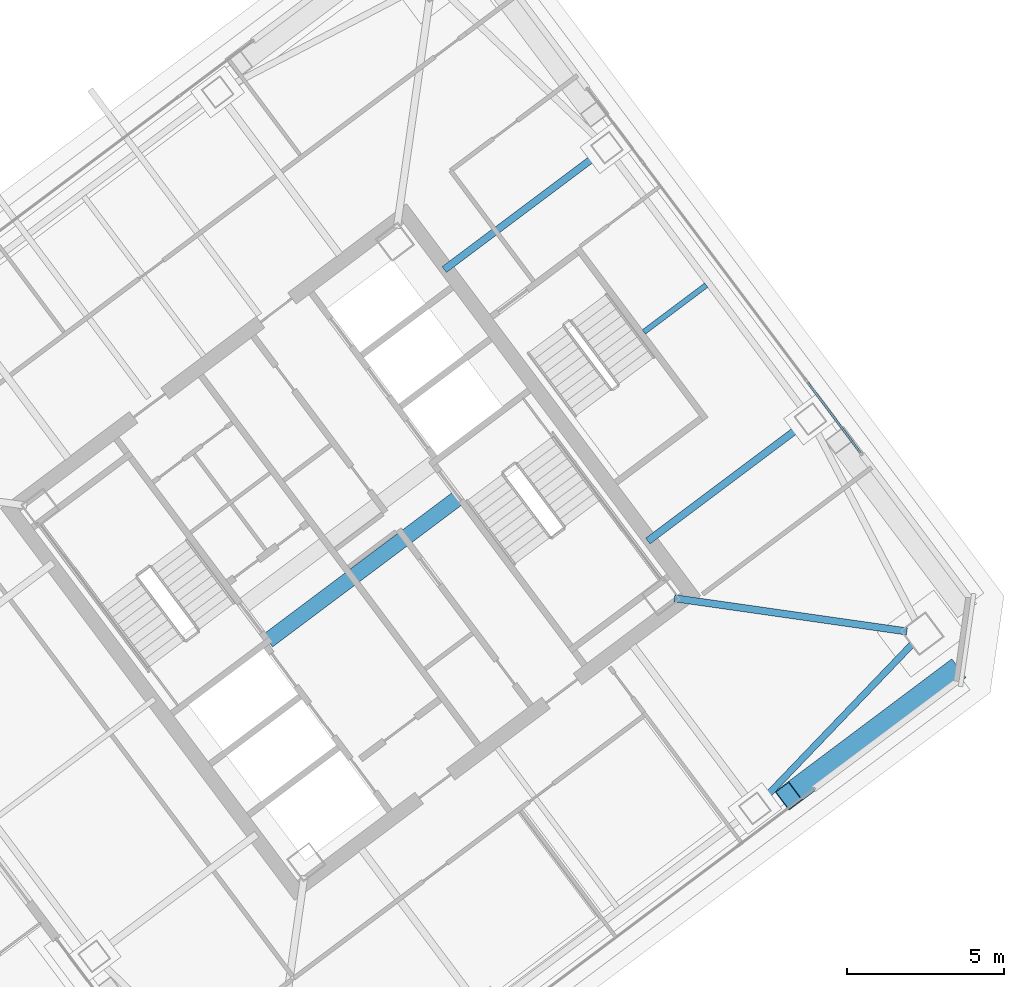
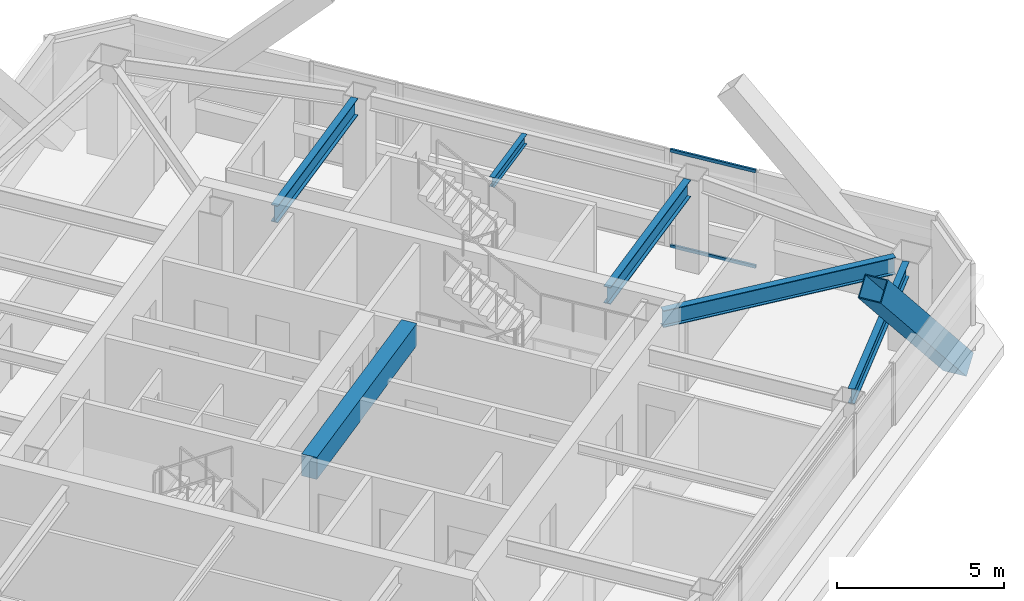
# One storey, part 24 of 39: 6 beams, 3 members, 1 element without a shape of its own.
"""IFC4 building model written with IfcOpenShell, lengths in metres."""

from ifc_helpers import new_model, si_unit, direction, frame, origin, origin_2d, place, context, subcontext, project, spatial, rectangle, hollow_rectangle, i_section, extrude, material, material_profile, profile_set, type_object, element, aggregate, save


model = new_model("IFC4")

# Units and contexts
model_context = context("Model", 3, precision=1e-05, world=origin(), true_north=direction((0.0, 1.0)))
body_context = subcontext(model_context, "Body", "Model", "MODEL_VIEW")
ifc_project = project(units=[si_unit("LENGTHUNIT", "METRE"), si_unit("AREAUNIT", "SQUARE_METRE"), si_unit("VOLUMEUNIT", "CUBIC_METRE"), si_unit("PLANEANGLEUNIT", "RADIAN"), si_unit("MASSUNIT", "GRAM", prefix="KILO")], contexts=[model_context])

# Site, building, storey
site_placement = place(None, origin())
site = spatial("IfcSite", under=ifc_project, at=site_placement, CompositionType="ELEMENT")
building_placement = place(site_placement, origin())
building = spatial("IfcBuilding", under=site, at=building_placement, Name="Tashvorn Skyway Center", CompositionType="ELEMENT")
storey_placement = place(building_placement, frame((0.0, 0.0, 232.60009765625)))
storey = spatial("IfcBuildingStorey", under=building, at=storey_placement, Name="L63", CompositionType="ELEMENT", Elevation=232.60009765625)

# Beams
ifc_material_1 = material(Name="Steel ASTM A992 Grade 50", Category="steel")
ifc_material_profile_1 = material_profile(ifc_material_1, i_section(OverallWidth=0.22998046875, OverallDepth=0.616943359375, WebThickness=0.01318359375, FlangeThickness=0.022216796875, at=origin_2d()), Name="W24X94")
ifc_profile_set_1 = profile_set([ifc_material_profile_1], Name="Steel ASTM A992 Grade 50")
beam_type_1 = type_object("IfcBeamType", Name="BM-BEAM-W24X94", PredefinedType="BEAM", material=ifc_profile_set_1)
beam_1_placement = place(storey_placement, frame((131.7099609375, 29.469970703125, 3.0615234375), z_axis=(-0.989948187102, 0.141430501853, 0.0), x_axis=(-0.141430501853, -0.989948187102, 0.0)))
element("IfcBeam", 1, at=beam_1_placement, inside=storey, type_object=beam_type_1, Name="Tower 2 L63 Primary Floor Girder MC-SE", PredefinedType="BEAM", context=body_context, shape_type="SweptSolid", body=[
    extrude(i_section(OverallWidth=0.22998046875, OverallDepth=0.616943359375, WebThickness=0.01318359375, FlangeThickness=0.022216796875, at=origin_2d()), origin(), (0.0, 0.0, 1.0), 7.474609375),
])
for number, where, z_axis, x_axis, name in (
    (2, (128.343994140625, 36.008056640625, 3.0615234375), (-0.799980788524, -0.600025614447, 0.0), (0.600025614447, -0.799980788524, 0.0), "Tower 2 L63 Primary Floor Girder FC-E1"),
    (3, (121.864013671875, 44.64794921875, 3.0615234375), (-0.800014407953, -0.599980788915, 0.0), (0.599980788915, -0.800014407953, 0.0), "Tower 2 L63 Primary Floor Girder FC-E2"),
):
    element("IfcBeam", number, at=place(storey_placement, frame(where, z_axis=z_axis, x_axis=x_axis)), inside=storey, type_object=beam_type_1, Name=name, PredefinedType="BEAM", context=body_context, shape_type="SweptSolid", body=[
        extrude(i_section(OverallWidth=0.22998046875, OverallDepth=0.616943359375, WebThickness=0.01318359375, FlangeThickness=0.022216796875, at=origin_2d()), origin(), (0.0, 0.0, 1.0), 6.10009765625),
    ])
ifc_material_profile_2 = material_profile(ifc_material_1, i_section(OverallWidth=0.1708984375, OverallDepth=0.35498046875, WebThickness=0.007080078125, FlangeThickness=0.01171875, at=origin_2d()), Name="W14X34")
ifc_profile_set_2 = profile_set([ifc_material_profile_2], Name="Steel ASTM A992 Grade 50")
beam_type_2 = type_object("IfcBeamType", Name="BM-JOIST-W14X34", PredefinedType="JOIST", material=ifc_profile_set_2)
beam_2_placement = place(storey_placement, frame((123.3359375, 39.001953125, 3.1923828125), z_axis=(0.80001180088, 0.599984265171, 0.0), x_axis=(-0.599984265171, 0.80001180088, 0.0)))
element("IfcBeam", 4, at=beam_2_placement, inside=storey, type_object=beam_type_2, Name="Tower 2 L63 Secondary Composite Joist JE", PredefinedType="JOIST", context=body_context, shape_type="SweptSolid", body=[
    extrude(i_section(OverallWidth=0.1708984375, OverallDepth=0.35498046875, WebThickness=0.007080078125, FlangeThickness=0.01171875, at=origin_2d()), origin(), (0.0, 0.0, 1.0), 2.482666015625),
])
ifc_material_2 = material(Name="Concrete C50/60", Category="concrete")
ifc_material_profile_3 = material_profile(ifc_material_2, rectangle(XDim=0.5, YDim=0.800048828125, at=origin_2d()), Name="RCB500x800")
ifc_profile_set_3 = profile_set([ifc_material_profile_3], Name="Concrete C50/60")
beam_type_3 = type_object("IfcBeamType", Name="BM-LINTEL-RCB500x800", PredefinedType="LINTEL", material=ifc_profile_set_3)
beam_3_placement = place(storey_placement, frame((111.367919921875, 29.176025390625, 2.969970703125), z_axis=(0.8, 0.6, 0.0), x_axis=(-0.6, 0.8, 0.0)))
element("IfcBeam", 5, at=beam_3_placement, inside=storey, type_object=beam_type_3, Name="Tower 2 L63 Core Coupling Beam CS", PredefinedType="LINTEL", context=body_context, shape_type="SweptSolid", body=[
    extrude(rectangle(XDim=0.5, YDim=0.800048828125, at=origin_2d()), origin(), (0.0, 0.0, 1.0), 7.60009765625),
])
ifc_material_profile_4 = material_profile(ifc_material_1, i_section(OverallWidth=0.2109375, OverallDepth=0.5390625, WebThickness=0.01171875, FlangeThickness=0.018798828125, at=origin_2d()), Name="W21X73")
ifc_profile_set_4 = profile_set([ifc_material_profile_4], Name="Steel ASTM A992 Grade 50")
beam_type_4 = type_object("IfcBeamType", Name="BM-SPANDREL-W21X73", PredefinedType="SPANDREL", material=ifc_profile_set_4)
beam_4_placement = place(storey_placement, frame((127.1259765625, 24.107177734375, 3.100341796875), z_axis=(0.69202323926, 0.72187522213, 0.0), x_axis=(-0.72187522213, 0.69202323926, 0.0)))
element("IfcBeam", 6, at=beam_4_placement, inside=storey, type_object=beam_type_4, Name="Tower 2 L63 Spandrel Beam 03", PredefinedType="SPANDREL", context=body_context, shape_type="SweptSolid", body=[
    extrude(i_section(OverallWidth=0.2109375, OverallDepth=0.5390625, WebThickness=0.01171875, FlangeThickness=0.018798828125, at=origin_2d()), origin(), (0.0, 0.0, 1.0), 6.837158203125),
])

# Curtain wall, members
ifc_material_3 = material(Name="Thermally broken bronze-anodized aluminium 6063-T6", Category="aluminium")
curtain_wall_type = type_object("IfcCurtainWallType", Name="CW-CW-Z5", PredefinedType="NOTDEFINED", material=ifc_material_3)
curtain_wall_placement = place(storey_placement, origin())
curtain_wall = element("IfcCurtainWall", 7, at=curtain_wall_placement, inside=storey, type_object=curtain_wall_type, Name="Tower 2 L63 East Unitised Curtain Wall Glazing Group 3", PredefinedType="NOTDEFINED")
ifc_material_profile_5 = material_profile(ifc_material_3, hollow_rectangle(XDim=0.070068359375, YDim=0.114990234375, WallThickness=0.00390625, at=origin_2d()), Name="ALU-TRAN-70x115")
ifc_profile_set_5 = profile_set([ifc_material_profile_5], Name="Thermally broken bronze-anodized aluminium 6063-T6")
member_type_1 = type_object("IfcMemberType", Name="CWT-CW-Z5", PredefinedType="USERDEFINED", material=ifc_profile_set_5)
member_1_placement = place(storey_placement, frame((128.56201171875, 37.384033203125, 0.034912109375), z_axis=(0.599971761508, -0.80002117809, 0.0), x_axis=(0.80002117809, 0.599971761508, 0.0)))
member_1 = element("IfcMember", 8, at=member_1_placement, type_object=member_type_1, Name="CW-Z5 transom 1.1", ObjectType="TRANSOM", PredefinedType="USERDEFINED", context=body_context, shape_type="SweptSolid", body=[
    extrude(hollow_rectangle(XDim=0.070068359375, YDim=0.114990234375, WallThickness=0.00390625, at=origin_2d()), origin(), (0.0, 0.0, 1.0), 2.7666015625),
])
member_2_placement = place(storey_placement, frame((128.56201171875, 37.384033203125, 3.514892578125), z_axis=(0.599971761508, -0.80002117809, 0.0), x_axis=(0.80002117809, 0.599971761508, 0.0)))
member_2 = element("IfcMember", 9, at=member_2_placement, type_object=member_type_1, Name="CW-Z5 transom 1.2", ObjectType="TRANSOM", PredefinedType="USERDEFINED", context=body_context, shape_type="SweptSolid", body=[
    extrude(hollow_rectangle(XDim=0.070068359375, YDim=0.114990234375, WallThickness=0.00390625, at=origin_2d()), origin(), (0.0, 0.0, 1.0), 2.7666015625),
])
aggregate(curtain_wall, [member_1, member_2])

# Member
ifc_material_4 = material(Name="Steel ASTM A572 Grade 50", Category="steel")
ifc_material_profile_6 = material_profile(ifc_material_4, hollow_rectangle(XDim=0.75, YDim=0.75, WallThickness=0.031982421875, at=origin_2d()), Name="BOX750x750x32")
ifc_profile_set_6 = profile_set([ifc_material_profile_6], Name="Steel ASTM A572 Grade 50")
member_type_2 = type_object("IfcMemberType", Name="MEM-MB-750", PredefinedType="BRACE", material=ifc_profile_set_6)
member_3_placement = place(storey_placement, frame((133.14794921875, 28.135986328125, -0.2001953125), z_axis=(-0.550660123478, -0.412988629158, 0.725405969508), x_axis=(0.599993990277, -0.800004507257, 0.0)))
element("IfcMember", 10, at=member_3_placement, inside=storey, type_object=member_type_2, Name="Tower 2 Zone 6 S Chevron Mega-Brace R1", PredefinedType="BRACE", context=body_context, shape_type="SweptSolid", body=[
    extrude(hollow_rectangle(XDim=0.75, YDim=0.75, WallThickness=0.031982421875, at=origin_2d()), origin(), (0.0, 0.0, 1.0), 9.443115234375),
])

save(model, "model.ifc")
